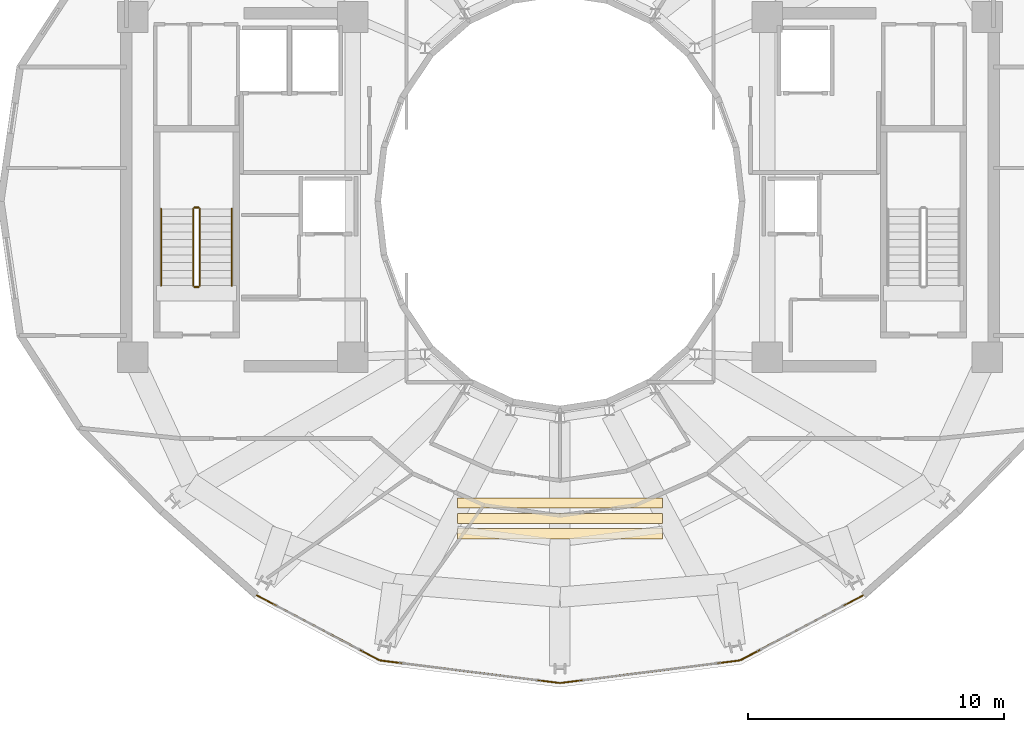
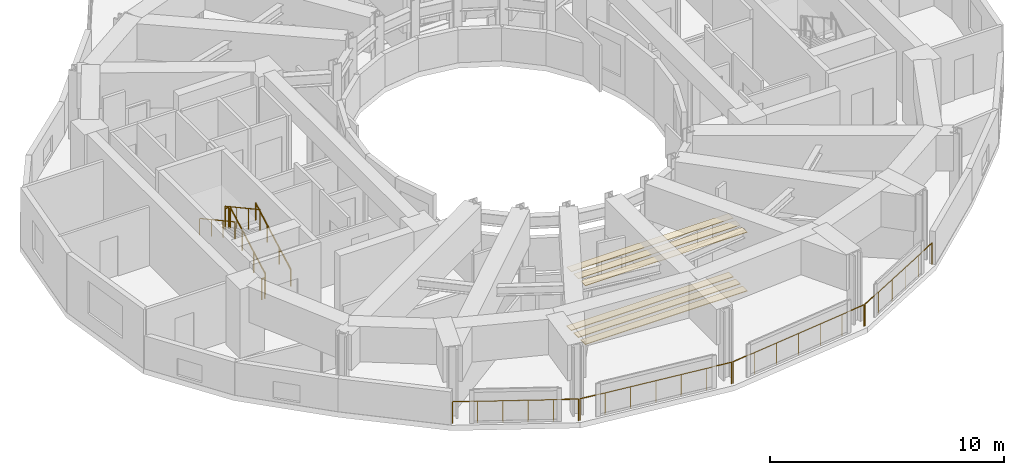
# One storey, part 19 of 21: 10 railings, 6 coverings.
"""IFC4 building model written with IfcOpenShell, lengths in metres."""

from ifc_helpers import new_model, si_unit, direction, frame, origin, origin_2d, place, context, subcontext, project, spatial, polyline, circle, outline, extrude, material, layer, layer_set, type_object, element, save


model = new_model("IFC4")

# Units and contexts
model_context = context("Model", 3, precision=1e-05, world=origin(), true_north=direction((0.0, 1.0)))
body_context = subcontext(model_context, "Body", "Model", "MODEL_VIEW")
ifc_project = project(units=[si_unit("LENGTHUNIT", "METRE"), si_unit("AREAUNIT", "SQUARE_METRE"), si_unit("VOLUMEUNIT", "CUBIC_METRE"), si_unit("PLANEANGLEUNIT", "RADIAN"), si_unit("MASSUNIT", "GRAM", prefix="KILO")], contexts=[model_context])

# Site, building, storey
site_placement = place(None, origin())
site = spatial("IfcSite", under=ifc_project, at=site_placement, CompositionType="ELEMENT")
building_placement = place(site_placement, origin())
building = spatial("IfcBuilding", under=site, at=building_placement, Name="Solvane Sanctuary Tower", CompositionType="ELEMENT")
storey_placement = place(building_placement, frame((0.0, 0.0, 256.800048828125)))
storey = spatial("IfcBuildingStorey", under=building, at=storey_placement, Name="L78", CompositionType="ELEMENT", Elevation=256.800048828125)

# Coverings
ifc_material_1 = material(Name="Acoustic Gypsum Partition Board")
ifc_layer_1 = layer(ifc_material_1, 0.02490234375, Name="Acoustic Gypsum Partition Board")
ifc_layer_set_1 = layer_set([ifc_layer_1], Name="Acoustic Gypsum Partition Board")
covering_type_1 = type_object("IfcCoveringType", Name="Covering CLG-ACOUST", PredefinedType="CEILING", material=ifc_layer_set_1)
covering_1_placement = place(storey_placement, frame((0.0, 0.0, 3.070068359375)))
element("IfcCovering", 1, at=covering_1_placement, inside=storey, type_object=covering_type_1, Name="L78 Sky Dining Acoustic Coffer 5", PredefinedType="CEILING", context=body_context, shape_type="SweptSolid", body=[
    extrude(outline(polyline([(28.0, 9.800048828125), (36.0, 9.800048828125), (36.0, 10.199951171875), (28.0, 10.199951171875), (28.0, 9.800048828125)])), origin(), (0.0, 0.0, 1.0), 0.02978515625),
])
covering_2_placement = place(storey_placement, frame((0.0, 0.0, 3.070068359375)))
element("IfcCovering", 2, at=covering_2_placement, inside=storey, type_object=covering_type_1, Name="L78 Sky Dining Acoustic Coffer 6", PredefinedType="CEILING", context=body_context, shape_type="SweptSolid", body=[
    extrude(outline(polyline([(28.0, 10.39990234375), (36.0, 10.39990234375), (36.0, 10.800048828125), (28.0, 10.800048828125), (28.0, 10.39990234375)])), origin(), (0.0, 0.0, 1.0), 0.02978515625),
])
covering_3_placement = place(storey_placement, frame((0.0, 0.0, 3.070068359375)))
element("IfcCovering", 3, at=covering_3_placement, inside=storey, type_object=covering_type_1, Name="L78 Sky Dining Acoustic Coffer 7", PredefinedType="CEILING", context=body_context, shape_type="SweptSolid", body=[
    extrude(outline(polyline([(28.0, 11.0), (36.0, 11.0), (36.0, 11.39990234375), (28.0, 11.39990234375), (28.0, 11.0)])), origin(), (0.0, 0.0, 1.0), 0.02978515625),
])
ifc_material_2 = material(Name="Ceramic Tile Finish")
ifc_layer_2 = layer(ifc_material_2, 0.030029296875, Name="Ceramic Tile Finish")
ifc_layer_set_2 = layer_set([ifc_layer_2], Name="Ceramic Tile Finish")
covering_type_2 = type_object("IfcCoveringType", Name="Covering FLR-TERRAZZO", PredefinedType="FLOORING", material=ifc_layer_set_2)
covering_4_placement = place(storey_placement, origin())
element("IfcCovering", 4, at=covering_4_placement, inside=storey, type_object=covering_type_2, Name="L78 Sky Dining Terrazzo Inlay 5", PredefinedType="FLOORING", context=body_context, shape_type="SweptSolid", body=[
    extrude(outline(polyline([(28.0, 9.800048828125), (36.0, 9.800048828125), (36.0, 10.199951171875), (28.0, 10.199951171875), (28.0, 9.800048828125)])), origin(), (0.0, 0.0, 1.0), 0.034912109375),
])
covering_5_placement = place(storey_placement, origin())
element("IfcCovering", 5, at=covering_5_placement, inside=storey, type_object=covering_type_2, Name="L78 Sky Dining Terrazzo Inlay 6", PredefinedType="FLOORING", context=body_context, shape_type="SweptSolid", body=[
    extrude(outline(polyline([(28.0, 10.39990234375), (36.0, 10.39990234375), (36.0, 10.800048828125), (28.0, 10.800048828125), (28.0, 10.39990234375)])), origin(), (0.0, 0.0, 1.0), 0.034912109375),
])
covering_6_placement = place(storey_placement, origin())
element("IfcCovering", 6, at=covering_6_placement, inside=storey, type_object=covering_type_2, Name="L78 Sky Dining Terrazzo Inlay 7", PredefinedType="FLOORING", context=body_context, shape_type="SweptSolid", body=[
    extrude(outline(polyline([(28.0, 11.0), (36.0, 11.0), (36.0, 11.39990234375), (28.0, 11.39990234375), (28.0, 11.0)])), origin(), (0.0, 0.0, 1.0), 0.034912109375),
])

# Railings
ifc_material_3 = material(Name="Architectural Stainless Steel 316", Category="steel")
railing_type_1 = type_object("IfcRailingType", Name="Railing GR-BALC-1150", PredefinedType="BALUSTRADE", material=ifc_material_3)
railing_1_placement = place(storey_placement, frame((20.156494140625, 7.5869140625, 0.0)))
element("IfcRailing", 7, at=railing_1_placement, inside=storey, type_object=railing_type_1, Name="L78 Curtain-Wall Perimeter Sill Guard 16", PredefinedType="BALUSTRADE", context=body_context, shape_type="SweptSolid", body=[
    extrude(circle(Radius=0.02392578125, at=origin_2d()), frame((0.0, 0.0, 1.1259765625), z_axis=(0.883976980304, -0.467530424992, 0.0), x_axis=(0.467530424992, 0.883976980304, 0.0)), (0.0, 0.0, 1.0), 5.400390625),
    extrude(circle(Radius=0.02099609375, at=origin_2d()), origin(), (0.0, 0.0, 1.0), 1.101806640625),
    extrude(circle(Radius=0.02099609375, at=origin_2d()), frame((0.954833984375, -0.5048828125, 0.0)), (0.0, 0.0, 1.0), 1.101806640625),
    extrude(circle(Radius=0.02099609375, at=origin_2d()), frame((1.90966796875, -1.010009765625, 0.0)), (0.0, 0.0, 1.0), 1.101806640625),
    extrude(circle(Radius=0.02099609375, at=origin_2d()), frame((2.8642578125, -1.514892578125, 0.0)), (0.0, 0.0, 1.0), 1.101806640625),
    extrude(circle(Radius=0.02099609375, at=origin_2d()), frame((3.819091796875, -2.02001953125, 0.0)), (0.0, 0.0, 1.0), 1.101806640625),
    extrude(circle(Radius=0.02099609375, at=origin_2d()), frame((4.77392578125, -2.52490234375, 0.0)), (0.0, 0.0, 1.0), 1.101806640625),
])
railing_2_placement = place(storey_placement, frame((24.98681640625, 5.04443359375, 0.0)))
element("IfcRailing", 8, at=railing_2_placement, inside=storey, type_object=railing_type_1, Name="L78 Curtain-Wall Perimeter Sill Guard 17", PredefinedType="BALUSTRADE", context=body_context, shape_type="SweptSolid", body=[
    extrude(circle(Radius=0.02392578125, at=origin_2d()), frame((0.0, 0.0, 1.1259765625), z_axis=(0.992181523379, -0.124803143655, 0.0), x_axis=(0.124803143655, 0.992181523379, 0.0)), (0.0, 0.0, 1.0), 7.038330078125),
    extrude(circle(Radius=0.02099609375, at=origin_2d()), origin(), (0.0, 0.0, 1.0), 1.101806640625),
    extrude(circle(Radius=0.02099609375, at=origin_2d()), frame((1.163818359375, -0.146484375, 0.0)), (0.0, 0.0, 1.0), 1.101806640625),
    extrude(circle(Radius=0.02099609375, at=origin_2d()), frame((2.327880859375, -0.292724609375, 0.0)), (0.0, 0.0, 1.0), 1.101806640625),
    extrude(circle(Radius=0.02099609375, at=origin_2d()), frame((3.49169921875, -0.439208984375, 0.0)), (0.0, 0.0, 1.0), 1.101806640625),
    extrude(circle(Radius=0.02099609375, at=origin_2d()), frame((4.655517578125, -0.585693359375, 0.0)), (0.0, 0.0, 1.0), 1.101806640625),
    extrude(circle(Radius=0.02099609375, at=origin_2d()), frame((5.819580078125, -0.73193359375, 0.0)), (0.0, 0.0, 1.0), 1.101806640625),
    extrude(circle(Radius=0.02099609375, at=origin_2d()), frame((6.9833984375, -0.87841796875, 0.0)), (0.0, 0.0, 1.0), 1.101806640625),
])
railing_3_placement = place(storey_placement, frame((32.02978515625, 4.166015625, 0.0)))
element("IfcRailing", 9, at=railing_3_placement, inside=storey, type_object=railing_type_1, Name="L78 Curtain-Wall Perimeter Sill Guard 18", PredefinedType="BALUSTRADE", context=body_context, shape_type="SweptSolid", body=[
    extrude(circle(Radius=0.02392578125, at=origin_2d()), frame((0.0, 0.0, 1.1259765625), z_axis=(0.992181523379, 0.124803143655, 0.0), x_axis=(-0.124803143655, 0.992181523379, 0.0)), (0.0, 0.0, 1.0), 7.038330078125),
    extrude(circle(Radius=0.02099609375, at=origin_2d()), origin(), (0.0, 0.0, 1.0), 1.101806640625),
    extrude(circle(Radius=0.02099609375, at=origin_2d()), frame((1.163818359375, 0.146484375, 0.0)), (0.0, 0.0, 1.0), 1.101806640625),
    extrude(circle(Radius=0.02099609375, at=origin_2d()), frame((2.327880859375, 0.292724609375, 0.0)), (0.0, 0.0, 1.0), 1.101806640625),
    extrude(circle(Radius=0.02099609375, at=origin_2d()), frame((3.49169921875, 0.439208984375, 0.0)), (0.0, 0.0, 1.0), 1.101806640625),
    extrude(circle(Radius=0.02099609375, at=origin_2d()), frame((4.655517578125, 0.585693359375, 0.0)), (0.0, 0.0, 1.0), 1.101806640625),
    extrude(circle(Radius=0.02099609375, at=origin_2d()), frame((5.819580078125, 0.73193359375, 0.0)), (0.0, 0.0, 1.0), 1.101806640625),
    extrude(circle(Radius=0.02099609375, at=origin_2d()), frame((6.9833984375, 0.87841796875, 0.0)), (0.0, 0.0, 1.0), 1.101806640625),
])
railing_4_placement = place(storey_placement, frame((39.069580078125, 5.06201171875, 0.0)))
element("IfcRailing", 10, at=railing_4_placement, inside=storey, type_object=railing_type_1, Name="L78 Curtain-Wall Perimeter Sill Guard 19", PredefinedType="BALUSTRADE", context=body_context, shape_type="SweptSolid", body=[
    extrude(circle(Radius=0.02392578125, at=origin_2d()), frame((0.0, 0.0, 1.1259765625), z_axis=(0.883976980304, 0.467530424992, 0.0), x_axis=(-0.467530424992, 0.883976980304, 0.0)), (0.0, 0.0, 1.0), 5.400390625),
    extrude(circle(Radius=0.02099609375, at=origin_2d()), origin(), (0.0, 0.0, 1.0), 1.101806640625),
    extrude(circle(Radius=0.02099609375, at=origin_2d()), frame((0.954833984375, 0.5048828125, 0.0)), (0.0, 0.0, 1.0), 1.101806640625),
    extrude(circle(Radius=0.02099609375, at=origin_2d()), frame((1.90966796875, 1.010009765625, 0.0)), (0.0, 0.0, 1.0), 1.101806640625),
    extrude(circle(Radius=0.02099609375, at=origin_2d()), frame((2.8642578125, 1.514892578125, 0.0)), (0.0, 0.0, 1.0), 1.101806640625),
    extrude(circle(Radius=0.02099609375, at=origin_2d()), frame((3.819091796875, 2.02001953125, 0.0)), (0.0, 0.0, 1.0), 1.101806640625),
    extrude(circle(Radius=0.02099609375, at=origin_2d()), frame((4.77392578125, 2.52490234375, 0.0)), (0.0, 0.0, 1.0), 1.101806640625),
])
railing_5_placement = place(storey_placement, frame((17.919921875, 19.699951171875, 0.16357421875)))
element("IfcRailing", 11, at=railing_5_placement, inside=storey, type_object=railing_type_1, Name="L78 ST-1 stair guard 1", PredefinedType="BALUSTRADE", context=body_context, shape_type="SweptSolid", body=[
    extrude(circle(Radius=0.02392578125, at=origin_2d()), frame((0.0, 0.0, 1.076171875), z_axis=(0.0, 0.877881921179, 0.478877158013), x_axis=(-1.0, 0.0, 0.0)), (0.0, 0.0, 1.0), 3.417236328125),
    extrude(circle(Radius=0.02099609375, at=origin_2d()), origin(), (0.0, 0.0, 1.0), 1.052001953125),
    extrude(circle(Radius=0.02099609375, at=origin_2d()), frame((0.0, 1.0, 0.54541015625)), (0.0, 0.0, 1.0), 1.052001953125),
    extrude(circle(Radius=0.02099609375, at=origin_2d()), frame((0.0, 2.0, 1.091064453125)), (0.0, 0.0, 1.0), 1.052001953125),
    extrude(circle(Radius=0.02099609375, at=origin_2d()), frame((0.0, 3.0, 1.636474609375)), (0.0, 0.0, 1.0), 1.052001953125),
])
railing_6_placement = place(storey_placement, frame((17.8701171875, 22.75, 1.800048828125)))
element("IfcRailing", 12, at=railing_6_placement, inside=storey, type_object=railing_type_1, Name="L78 ST-1 stair guard 2", PredefinedType="BALUSTRADE", context=body_context, shape_type="SweptSolid", body=[
    extrude(circle(Radius=0.02392578125, at=origin_2d()), frame((0.0, 0.0, 1.076171875), z_axis=(-1.0, 0.0, 0.0), x_axis=(0.0, -1.0, 0.0)), (0.0, 0.0, 1.0), 0.16015625),
    extrude(circle(Radius=0.02099609375, at=origin_2d()), origin(), (0.0, 0.0, 1.0), 1.052001953125),
    extrude(circle(Radius=0.02099609375, at=origin_2d()), frame((-0.16015625, 0.0, 0.0)), (0.0, 0.0, 1.0), 1.052001953125),
])
railing_7_placement = place(storey_placement, frame((17.659912109375, 22.699951171875, 1.963623046875)))
element("IfcRailing", 13, at=railing_7_placement, inside=storey, type_object=railing_type_1, Name="L78 ST-1 stair guard 3", PredefinedType="BALUSTRADE", context=body_context, shape_type="SweptSolid", body=[
    extrude(circle(Radius=0.02392578125, at=origin_2d()), frame((0.0, 0.0, 1.076171875), z_axis=(0.0, -0.877911954615, 0.47882209634), x_axis=(1.0, 0.0, 0.0)), (0.0, 0.0, 1.0), 3.417236328125),
    extrude(circle(Radius=0.02099609375, at=origin_2d()), origin(), (0.0, 0.0, 1.0), 1.052001953125),
    extrude(circle(Radius=0.02099609375, at=origin_2d()), frame((0.0, -1.0, 0.54541015625)), (0.0, 0.0, 1.0), 1.052001953125),
    extrude(circle(Radius=0.02099609375, at=origin_2d()), frame((0.0, -2.0, 1.0908203125)), (0.0, 0.0, 1.0), 1.052001953125),
    extrude(circle(Radius=0.02099609375, at=origin_2d()), frame((0.0, -3.0, 1.63623046875)), (0.0, 0.0, 1.0), 1.052001953125),
])
railing_8_placement = place(storey_placement, frame((17.8701171875, 19.64990234375, 0.0)))
element("IfcRailing", 14, at=railing_8_placement, inside=storey, type_object=railing_type_1, Name="L78 ST-1 stair guard 4", PredefinedType="BALUSTRADE", context=body_context, shape_type="SweptSolid", body=[
    extrude(circle(Radius=0.02392578125, at=origin_2d()), frame((0.0, 0.0, 1.076171875), z_axis=(-1.0, 0.0, 0.0), x_axis=(0.0, -1.0, 0.0)), (0.0, 0.0, 1.0), 0.16015625),
    extrude(circle(Radius=0.02099609375, at=origin_2d()), origin(), (0.0, 0.0, 1.0), 1.052001953125),
    extrude(circle(Radius=0.02099609375, at=origin_2d()), frame((-0.16015625, 0.0, 0.0)), (0.0, 0.0, 1.0), 1.052001953125),
])
railing_type_2 = type_object("IfcRailingType", Name="Railing HR-STAIR-920", PredefinedType="HANDRAIL", material=ifc_material_3)
railing_9_placement = place(storey_placement, frame((19.169921875, 19.699951171875, 0.16357421875)))
element("IfcRailing", 15, at=railing_9_placement, inside=storey, type_object=railing_type_2, Name="L78 ST-1 stair handrail 1", PredefinedType="HANDRAIL", context=body_context, shape_type="SweptSolid", body=[
    extrude(circle(Radius=0.02392578125, at=origin_2d()), frame((0.0, 0.0, 0.8759765625), z_axis=(0.0, 0.877881921179, 0.478877158013), x_axis=(-1.0, 0.0, 0.0)), (0.0, 0.0, 1.0), 3.417236328125),
    extrude(circle(Radius=0.02099609375, at=origin_2d()), origin(), (0.0, 0.0, 1.0), 0.851806640625),
    extrude(circle(Radius=0.02099609375, at=origin_2d()), frame((0.0, 1.0, 0.54541015625)), (0.0, 0.0, 1.0), 0.851806640625),
    extrude(circle(Radius=0.02099609375, at=origin_2d()), frame((0.0, 2.0, 1.091064453125)), (0.0, 0.0, 1.0), 0.851806640625),
    extrude(circle(Radius=0.02099609375, at=origin_2d()), frame((0.0, 3.0, 1.636474609375)), (0.0, 0.0, 1.0), 0.851806640625),
])
railing_10_placement = place(storey_placement, frame((16.409912109375, 22.699951171875, 1.963623046875)))
element("IfcRailing", 16, at=railing_10_placement, inside=storey, type_object=railing_type_2, Name="L78 ST-1 stair handrail 2", PredefinedType="HANDRAIL", context=body_context, shape_type="SweptSolid", body=[
    extrude(circle(Radius=0.02392578125, at=origin_2d()), frame((0.0, 0.0, 0.8759765625), z_axis=(0.0, -0.877911954615, 0.47882209634), x_axis=(1.0, 0.0, 0.0)), (0.0, 0.0, 1.0), 3.417236328125),
    extrude(circle(Radius=0.02099609375, at=origin_2d()), origin(), (0.0, 0.0, 1.0), 0.851806640625),
    extrude(circle(Radius=0.02099609375, at=origin_2d()), frame((0.0, -1.0, 0.54541015625)), (0.0, 0.0, 1.0), 0.851806640625),
    extrude(circle(Radius=0.02099609375, at=origin_2d()), frame((0.0, -2.0, 1.0908203125)), (0.0, 0.0, 1.0), 0.851806640625),
    extrude(circle(Radius=0.02099609375, at=origin_2d()), frame((0.0, -3.0, 1.63623046875)), (0.0, 0.0, 1.0), 0.851806640625),
])

save(model, "model.ifc")
